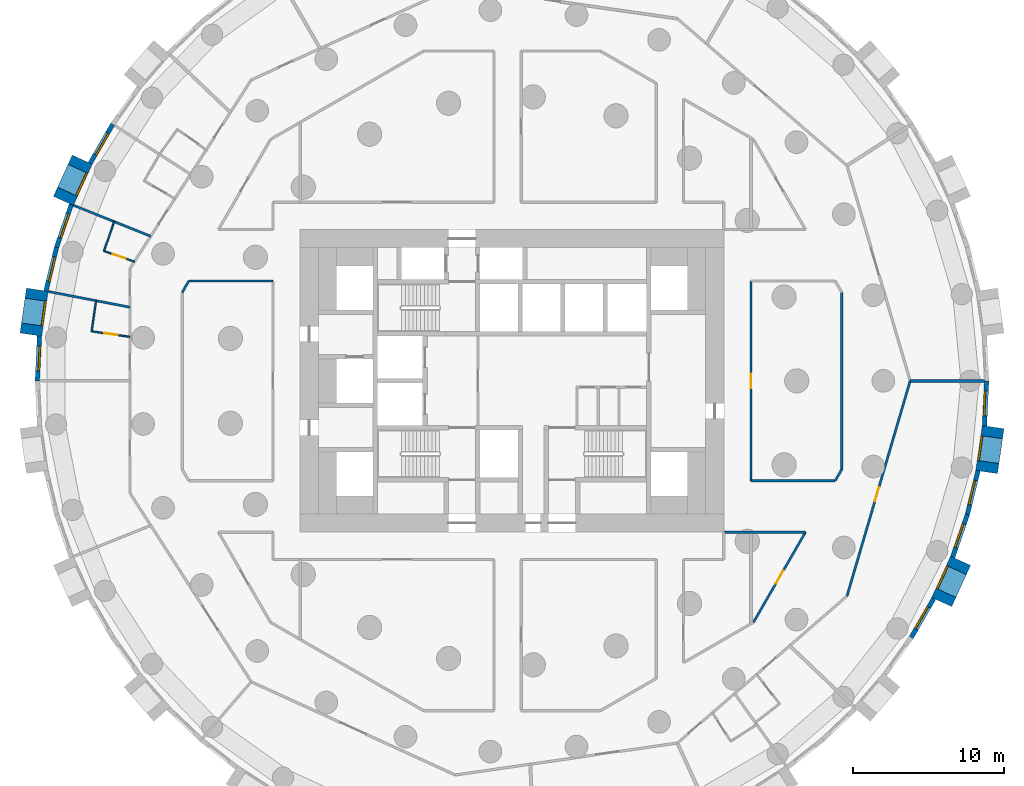
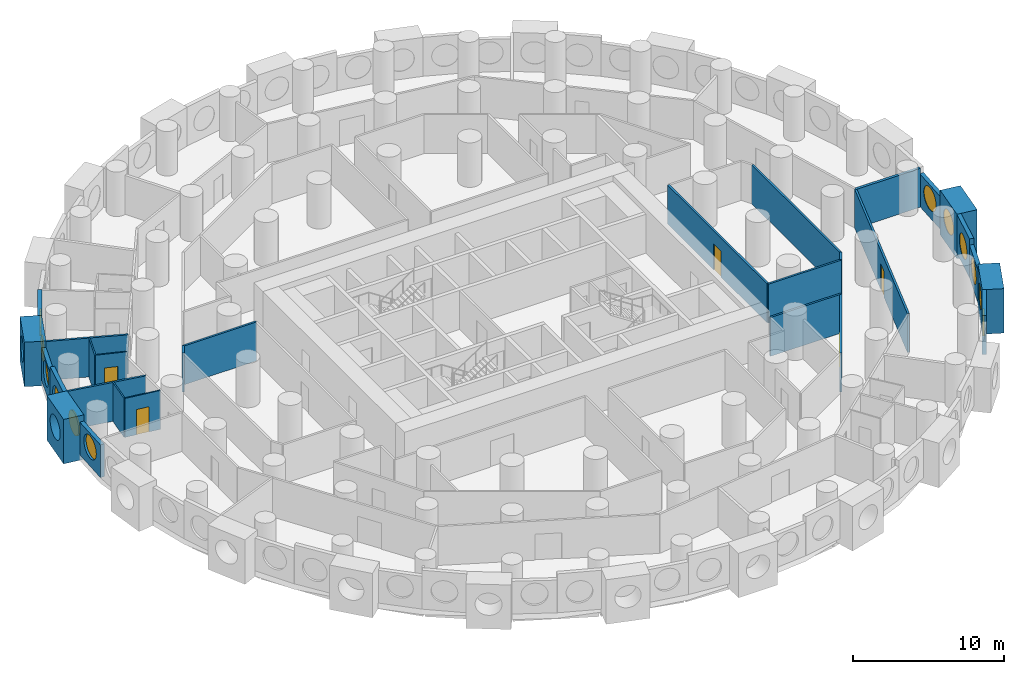
# One storey, part 6 of 11: 28 walls, 12 windows, 5 doors, 17 openings.
"""IFC4 building model written with IfcOpenShell, lengths in metres."""

from ifc_helpers import new_model, si_unit, direction, frame, frame_2d, origin, origin_2d, place, context, subcontext, project, spatial, rectangle, circle, extrude, material, layer, layer_set, type_object, element, fill, save


model = new_model("IFC4")

# Units and contexts
model_context = context("Model", 3, precision=1e-05, world=origin(), true_north=direction((0.0, 1.0)))
body_context = subcontext(model_context, "Body", "Model", "MODEL_VIEW")
ifc_project = project(units=[si_unit("LENGTHUNIT", "METRE"), si_unit("AREAUNIT", "SQUARE_METRE"), si_unit("VOLUMEUNIT", "CUBIC_METRE"), si_unit("PLANEANGLEUNIT", "RADIAN"), si_unit("MASSUNIT", "GRAM", prefix="KILO")], contexts=[model_context])

# Site, building, storey
site_placement = place(None, origin())
site = spatial("IfcSite", under=ifc_project, at=site_placement, CompositionType="ELEMENT")
building_placement = place(site_placement, origin())
building = spatial("IfcBuilding", under=site, at=building_placement, Name="Tracery Tower", CompositionType="ELEMENT")
storey_placement = place(building_placement, frame((0.0, 0.0, 60.60009765625)))
storey = spatial("IfcBuildingStorey", under=building, at=storey_placement, Name="L14", CompositionType="ELEMENT", Elevation=60.60009765625)

# Wall, opening, window
ifc_material_1 = material(Name="Precast concrete C50/60", Category="concrete")
ifc_layer_1 = layer(ifc_material_1, 1.449951171875)
ifc_layer_set_1 = layer_set([ifc_layer_1], Name="Deep-set bay unit 3000 x 3600, slab edge 450")
wall_type_1 = type_object("IfcWallType", Name="Deep-set bay unit 3000 x 3600, slab edge 450", PredefinedType="ELEMENTEDWALL", material=ifc_layer_set_1)
wall_1_placement = place(storey_placement, frame((-28.40673828125, 14.6220703125, -0.4501953125), z_axis=(0.0, 0.0, 1.0), x_axis=(-0.415427028395, -0.909626508012, 0.0)))
wall_1 = element("IfcWall", 1, at=wall_1_placement, inside=storey, type_object=wall_type_1, Name="Deep-set bay unit 29 at L14", PredefinedType="ELEMENTEDWALL", context=body_context, shape_type="SweptSolid", body=[
    extrude(rectangle(XDim=3.000244140625, YDim=1.449951171875, at=frame_2d((1.5, 0.0))), origin(), (0.0, 0.0, 1.0), 3.60009765625),
])
opening_1_placement = place(wall_1_placement, frame((1.5, 0.0, 2.0)))
opening_1 = element("IfcOpeningElement", 2, at=opening_1_placement, cuts=wall_1, Name="Opening WN1", PredefinedType="OPENING", context=body_context, shape_type="SweptSolid", body=[
    extrude(circle(Radius=0.9000244140625, at=origin_2d()), frame((0.0, 0.73486328125, 0.0), z_axis=(0.0, -1.0, 0.0), x_axis=(1.0, 0.0, 0.0)), (0.0, 0.0, 1.0), 1.469970703125),
])
ifc_material_2 = material(Name="Aluminium frame with tinted double glazing", Category="aluminium")
window_type = type_object("IfcWindowType", Name="Round window 1800", PartitioningType="SINGLE_PANEL", PredefinedType="WINDOW", material=ifc_material_2)
window_1_placement = place(opening_1_placement, origin())
window_1 = element("IfcWindow", 3, at=window_1_placement, inside=storey, type_object=window_type, Name="Round window 29 at L14", OverallHeight=1.800048828125, OverallWidth=1.800048828125, PartitioningType="SINGLE_PANEL", PredefinedType="WINDOW", context=body_context, shape_type="SweptSolid", body=[
    extrude(circle(Radius=0.9000244140625, at=origin_2d()), frame((0.0, 0.69482421875, 0.0), z_axis=(0.0, -1.0, 0.0), x_axis=(1.0, 0.0, 0.0)), (0.0, 0.0, 1.0), 0.10009765625),
])
fill(opening_1, window_1)

wall_2_placement = place(storey_placement, frame((-31.37548828125, 6.026611328125, -0.4501953125), z_axis=(0.0, 0.0, 1.0), x_axis=(-0.142332746704, -0.989818866872, 0.0)))
wall_2 = element("IfcWall", 4, at=wall_2_placement, inside=storey, type_object=wall_type_1, Name="Deep-set bay unit 32 at L14", PredefinedType="ELEMENTEDWALL", context=body_context, shape_type="SweptSolid", body=[
    extrude(rectangle(XDim=3.0, YDim=1.449951171875, at=frame_2d((1.5, 0.0))), origin(), (0.0, 0.0, 1.0), 3.60009765625),
])
opening_2_placement = place(wall_2_placement, frame((1.5, 0.0, 2.0)))
opening_2 = element("IfcOpeningElement", 5, at=opening_2_placement, cuts=wall_2, Name="Opening WN1", PredefinedType="OPENING", context=body_context, shape_type="SweptSolid", body=[
    extrude(circle(Radius=0.9000244140625, at=origin_2d()), frame((0.0, 0.73486328125, 0.0), z_axis=(0.0, -1.0, 0.0), x_axis=(1.0, 0.0, 0.0)), (0.0, 0.0, 1.0), 1.469970703125),
])
window_2_placement = place(opening_2_placement, origin())
window_2 = element("IfcWindow", 6, at=window_2_placement, inside=storey, type_object=window_type, Name="Round window 32 at L14", OverallHeight=1.800048828125, OverallWidth=1.800048828125, PartitioningType="SINGLE_PANEL", PredefinedType="WINDOW", context=body_context, shape_type="SweptSolid", body=[
    extrude(circle(Radius=0.9000244140625, at=origin_2d()), frame((0.0, 0.69482421875, 0.0), z_axis=(0.0, -1.0, 0.0), x_axis=(1.0, 0.0, 0.0)), (0.0, 0.0, 1.0), 0.10009765625),
])
fill(opening_2, window_2)

wall_3_placement = place(storey_placement, frame((28.40673828125, -14.6220703125, -0.4501953125), z_axis=(0.0, 0.0, 1.0), x_axis=(0.415427028395, 0.909626508012, 0.0)))
wall_3 = element("IfcWall", 7, at=wall_3_placement, inside=storey, type_object=wall_type_1, Name="Deep-set bay unit 62 at L14", PredefinedType="ELEMENTEDWALL", context=body_context, shape_type="SweptSolid", body=[
    extrude(rectangle(XDim=3.000244140625, YDim=1.449951171875, at=frame_2d((1.5, 0.0))), origin(), (0.0, 0.0, 1.0), 3.60009765625),
])
opening_3_placement = place(wall_3_placement, frame((1.5, 0.0, 2.0)))
opening_3 = element("IfcOpeningElement", 8, at=opening_3_placement, cuts=wall_3, Name="Opening WN1", PredefinedType="OPENING", context=body_context, shape_type="SweptSolid", body=[
    extrude(circle(Radius=0.9000244140625, at=origin_2d()), frame((0.0, 0.73486328125, 0.0), z_axis=(0.0, -1.0, 0.0), x_axis=(1.0, 0.0, 0.0)), (0.0, 0.0, 1.0), 1.469970703125),
])
window_3_placement = place(opening_3_placement, origin())
window_3 = element("IfcWindow", 9, at=window_3_placement, inside=storey, type_object=window_type, Name="Round window 62 at L14", OverallHeight=1.800048828125, OverallWidth=1.800048828125, PartitioningType="SINGLE_PANEL", PredefinedType="WINDOW", context=body_context, shape_type="SweptSolid", body=[
    extrude(circle(Radius=0.9000244140625, at=origin_2d()), frame((0.0, 0.69482421875, 0.0), z_axis=(0.0, -1.0, 0.0), x_axis=(1.0, 0.0, 0.0)), (0.0, 0.0, 1.0), 0.10009765625),
])
fill(opening_3, window_3)

wall_4_placement = place(storey_placement, frame((31.37548828125, -6.026611328125, -0.4501953125), z_axis=(0.0, 0.0, 1.0), x_axis=(0.142332746704, 0.989818866872, 0.0)))
wall_4 = element("IfcWall", 10, at=wall_4_placement, inside=storey, type_object=wall_type_1, Name="Deep-set bay unit 65 at L14", PredefinedType="ELEMENTEDWALL", context=body_context, shape_type="SweptSolid", body=[
    extrude(rectangle(XDim=3.0, YDim=1.449951171875, at=frame_2d((1.5, 0.0))), origin(), (0.0, 0.0, 1.0), 3.60009765625),
])
opening_4_placement = place(wall_4_placement, frame((1.5, 0.0, 2.0)))
opening_4 = element("IfcOpeningElement", 11, at=opening_4_placement, cuts=wall_4, Name="Opening WN1", PredefinedType="OPENING", context=body_context, shape_type="SweptSolid", body=[
    extrude(circle(Radius=0.9000244140625, at=origin_2d()), frame((0.0, 0.73486328125, 0.0), z_axis=(0.0, -1.0, 0.0), x_axis=(1.0, 0.0, 0.0)), (0.0, 0.0, 1.0), 1.469970703125),
])
window_4_placement = place(opening_4_placement, origin())
window_4 = element("IfcWindow", 12, at=window_4_placement, inside=storey, type_object=window_type, Name="Round window 65 at L14", OverallHeight=1.800048828125, OverallWidth=1.800048828125, PartitioningType="SINGLE_PANEL", PredefinedType="WINDOW", context=body_context, shape_type="SweptSolid", body=[
    extrude(circle(Radius=0.9000244140625, at=origin_2d()), frame((0.0, 0.69482421875, 0.0), z_axis=(0.0, -1.0, 0.0), x_axis=(1.0, 0.0, 0.0)), (0.0, 0.0, 1.0), 0.10009765625),
])
fill(opening_4, window_4)

ifc_material_3 = material(Name="Precast concrete C50/60", Category="concrete")
ifc_layer_2 = layer(ifc_material_3, 0.300048828125)
ifc_layer_set_2 = layer_set([ifc_layer_2], Name="Facade panel 3000 x 2650")
wall_type_2 = type_object("IfcWallType", Name="Facade panel 3000 x 2650", PredefinedType="SOLIDWALL", material=ifc_layer_set_2)
wall_5_placement = place(storey_placement, frame((-29.12890625, 11.655029296875, 0.0), z_axis=(0.0, 0.0, 1.0), x_axis=(-0.327071167136, -0.944999709856, 0.0)))
wall_5 = element("IfcWall", 13, at=wall_5_placement, inside=storey, type_object=wall_type_2, Name="Facade panel 30 at L14", PredefinedType="SOLIDWALL", context=body_context, shape_type="SweptSolid", body=[
    extrude(rectangle(XDim=2.979736328125, YDim=0.300048828125, at=frame_2d((1.48974609375, 0.0))), origin(), (0.0, 0.0, 1.0), 2.64990234375),
])
opening_5_placement = place(wall_5_placement, frame((1.48974609375, 0.0, 1.5498046875)))
opening_5 = element("IfcOpeningElement", 14, at=opening_5_placement, cuts=wall_5, Name="Opening WN1", PredefinedType="OPENING", context=body_context, shape_type="SweptSolid", body=[
    extrude(circle(Radius=0.9000244140625, at=origin_2d()), frame((0.0, 0.159912109375, 0.0), z_axis=(0.0, -1.0, 0.0), x_axis=(1.0, 0.0, 0.0)), (0.0, 0.0, 1.0), 0.320068359375),
])
window_5_placement = place(opening_5_placement, origin())
window_5 = element("IfcWindow", 15, at=window_5_placement, inside=storey, type_object=window_type, Name="Round window 30 at L14", OverallHeight=1.800048828125, OverallWidth=1.800048828125, PartitioningType="SINGLE_PANEL", PredefinedType="WINDOW", context=body_context, shape_type="SweptSolid", body=[
    extrude(circle(Radius=0.9000244140625, at=origin_2d()), frame((0.0, 0.1201171875, 0.0), z_axis=(0.0, -1.0, 0.0), x_axis=(1.0, 0.0, 0.0)), (0.0, 0.0, 1.0), 0.10009765625),
])
fill(opening_5, window_5)

wall_6_placement = place(storey_placement, frame((-31.232666015625, 2.976318359375, 0.0), z_axis=(0.0, 0.0, 1.0), x_axis=(-0.047604077644, -0.998866283239, 0.0)))
wall_6 = element("IfcWall", 16, at=wall_6_placement, inside=storey, type_object=wall_type_2, Name="Facade panel 33 at L14", PredefinedType="SOLIDWALL", context=body_context, shape_type="SweptSolid", body=[
    extrude(rectangle(XDim=2.979736328125, YDim=0.300048828125, at=frame_2d((1.48974609375, 0.0))), origin(), (0.0, 0.0, 1.0), 2.64990234375),
])
opening_6_placement = place(wall_6_placement, frame((1.48974609375, 0.0, 1.5498046875)))
opening_6 = element("IfcOpeningElement", 17, at=opening_6_placement, cuts=wall_6, Name="Opening WN1", PredefinedType="OPENING", context=body_context, shape_type="SweptSolid", body=[
    extrude(circle(Radius=0.9000244140625, at=origin_2d()), frame((0.0, 0.159912109375, 0.0), z_axis=(0.0, -1.0, 0.0), x_axis=(1.0, 0.0, 0.0)), (0.0, 0.0, 1.0), 0.320068359375),
])
window_6_placement = place(opening_6_placement, origin())
window_6 = element("IfcWindow", 18, at=window_6_placement, inside=storey, type_object=window_type, Name="Round window 33 at L14", OverallHeight=1.800048828125, OverallWidth=1.800048828125, PartitioningType="SINGLE_PANEL", PredefinedType="WINDOW", context=body_context, shape_type="SweptSolid", body=[
    extrude(circle(Radius=0.9000244140625, at=origin_2d()), frame((0.0, 0.1201171875, 0.0), z_axis=(0.0, -1.0, 0.0), x_axis=(1.0, 0.0, 0.0)), (0.0, 0.0, 1.0), 0.10009765625),
])
fill(opening_6, window_6)

wall_7_placement = place(storey_placement, frame((29.12890625, -11.655029296875, 0.0), z_axis=(0.0, 0.0, 1.0), x_axis=(0.327071167136, 0.944999709856, 0.0)))
wall_7 = element("IfcWall", 19, at=wall_7_placement, inside=storey, type_object=wall_type_2, Name="Facade panel 63 at L14", PredefinedType="SOLIDWALL", context=body_context, shape_type="SweptSolid", body=[
    extrude(rectangle(XDim=2.979736328125, YDim=0.300048828125, at=frame_2d((1.48974609375, 0.0))), origin(), (0.0, 0.0, 1.0), 2.64990234375),
])
opening_7_placement = place(wall_7_placement, frame((1.48974609375, 0.0, 1.5498046875)))
opening_7 = element("IfcOpeningElement", 20, at=opening_7_placement, cuts=wall_7, Name="Opening WN1", PredefinedType="OPENING", context=body_context, shape_type="SweptSolid", body=[
    extrude(circle(Radius=0.9000244140625, at=origin_2d()), frame((0.0, 0.159912109375, 0.0), z_axis=(0.0, -1.0, 0.0), x_axis=(1.0, 0.0, 0.0)), (0.0, 0.0, 1.0), 0.320068359375),
])
window_7_placement = place(opening_7_placement, origin())
window_7 = element("IfcWindow", 21, at=window_7_placement, inside=storey, type_object=window_type, Name="Round window 63 at L14", OverallHeight=1.800048828125, OverallWidth=1.800048828125, PartitioningType="SINGLE_PANEL", PredefinedType="WINDOW", context=body_context, shape_type="SweptSolid", body=[
    extrude(circle(Radius=0.9000244140625, at=origin_2d()), frame((0.0, 0.1201171875, 0.0), z_axis=(0.0, -1.0, 0.0), x_axis=(1.0, 0.0, 0.0)), (0.0, 0.0, 1.0), 0.10009765625),
])
fill(opening_7, window_7)

wall_8_placement = place(storey_placement, frame((31.232666015625, -2.976318359375, 0.0), z_axis=(0.0, 0.0, 1.0), x_axis=(0.047604077644, 0.998866283239, 0.0)))
wall_8 = element("IfcWall", 22, at=wall_8_placement, inside=storey, type_object=wall_type_2, Name="Facade panel 66 at L14", PredefinedType="SOLIDWALL", context=body_context, shape_type="SweptSolid", body=[
    extrude(rectangle(XDim=2.979736328125, YDim=0.300048828125, at=frame_2d((1.48974609375, 0.0))), origin(), (0.0, 0.0, 1.0), 2.64990234375),
])
opening_8_placement = place(wall_8_placement, frame((1.48974609375, 0.0, 1.5498046875)))
opening_8 = element("IfcOpeningElement", 23, at=opening_8_placement, cuts=wall_8, Name="Opening WN1", PredefinedType="OPENING", context=body_context, shape_type="SweptSolid", body=[
    extrude(circle(Radius=0.9000244140625, at=origin_2d()), frame((0.0, 0.159912109375, 0.0), z_axis=(0.0, -1.0, 0.0), x_axis=(1.0, 0.0, 0.0)), (0.0, 0.0, 1.0), 0.320068359375),
])
window_8_placement = place(opening_8_placement, origin())
window_8 = element("IfcWindow", 24, at=window_8_placement, inside=storey, type_object=window_type, Name="Round window 66 at L14", OverallHeight=1.800048828125, OverallWidth=1.800048828125, PartitioningType="SINGLE_PANEL", PredefinedType="WINDOW", context=body_context, shape_type="SweptSolid", body=[
    extrude(circle(Radius=0.9000244140625, at=origin_2d()), frame((0.0, 0.1201171875, 0.0), z_axis=(0.0, -1.0, 0.0), x_axis=(1.0, 0.0, 0.0)), (0.0, 0.0, 1.0), 0.10009765625),
])
fill(opening_8, window_8)

ifc_material_4 = material(Name="Precast concrete C50/60", Category="concrete")
ifc_layer_3 = layer(ifc_material_4, 0.300048828125)
ifc_layer_set_3 = layer_set([ifc_layer_3], Name="Facade panel 3000 x 3150")
wall_type_3 = type_object("IfcWallType", Name="Facade panel 3000 x 3150", PredefinedType="SOLIDWALL", material=ifc_layer_set_3)
wall_9_placement = place(storey_placement, frame((-26.393798828125, 16.96240234375, 0.0), z_axis=(0.0, 0.0, 1.0), x_axis=(-0.500025049464, -0.866010940986, 0.0)))
wall_9 = element("IfcWall", 25, at=wall_9_placement, inside=storey, type_object=wall_type_3, Name="Facade panel 28 at L14", PredefinedType="SOLIDWALL", context=body_context, shape_type="SweptSolid", body=[
    extrude(rectangle(XDim=2.979736328125, YDim=0.300048828125, at=frame_2d((1.48974609375, 0.0))), origin(), (0.0, 0.0, 1.0), 3.14990234375),
])
opening_9_placement = place(wall_9_placement, frame((1.48974609375, 0.0, 1.5498046875)))
opening_9 = element("IfcOpeningElement", 26, at=opening_9_placement, cuts=wall_9, Name="Opening WN1", PredefinedType="OPENING", context=body_context, shape_type="SweptSolid", body=[
    extrude(circle(Radius=0.9000244140625, at=origin_2d()), frame((0.0, 0.159912109375, 0.0), z_axis=(0.0, -1.0, 0.0), x_axis=(1.0, 0.0, 0.0)), (0.0, 0.0, 1.0), 0.320068359375),
])
window_9_placement = place(opening_9_placement, origin())
window_9 = element("IfcWindow", 27, at=window_9_placement, inside=storey, type_object=window_type, Name="Round window 28 at L14", OverallHeight=1.800048828125, OverallWidth=1.800048828125, PartitioningType="SINGLE_PANEL", PredefinedType="WINDOW", context=body_context, shape_type="SweptSolid", body=[
    extrude(circle(Radius=0.9000244140625, at=origin_2d()), frame((0.0, 0.1201171875, 0.0), z_axis=(0.0, -1.0, 0.0), x_axis=(1.0, 0.0, 0.0)), (0.0, 0.0, 1.0), 0.10009765625),
])
fill(opening_9, window_9)

wall_10_placement = place(storey_placement, frame((-30.103515625, 8.839111328125, 0.0), z_axis=(0.0, 0.0, 1.0), x_axis=(-0.235743081534, -0.971815414319, 0.0)))
wall_10 = element("IfcWall", 28, at=wall_10_placement, inside=storey, type_object=wall_type_3, Name="Facade panel 31 at L14", PredefinedType="SOLIDWALL", context=body_context, shape_type="SweptSolid", body=[
    extrude(rectangle(XDim=2.9794921875, YDim=0.300048828125, at=frame_2d((1.48974609375, 0.0))), origin(), (0.0, 0.0, 1.0), 3.14990234375),
])
opening_10_placement = place(wall_10_placement, frame((1.48974609375, 0.0, 1.5498046875)))
opening_10 = element("IfcOpeningElement", 29, at=opening_10_placement, cuts=wall_10, Name="Opening WN1", PredefinedType="OPENING", context=body_context, shape_type="SweptSolid", body=[
    extrude(circle(Radius=0.9000244140625, at=origin_2d()), frame((0.0, 0.159912109375, 0.0), z_axis=(0.0, -1.0, 0.0), x_axis=(1.0, 0.0, 0.0)), (0.0, 0.0, 1.0), 0.320068359375),
])
window_10_placement = place(opening_10_placement, origin())
window_10 = element("IfcWindow", 30, at=window_10_placement, inside=storey, type_object=window_type, Name="Round window 31 at L14", OverallHeight=1.800048828125, OverallWidth=1.800048828125, PartitioningType="SINGLE_PANEL", PredefinedType="WINDOW", context=body_context, shape_type="SweptSolid", body=[
    extrude(circle(Radius=0.9000244140625, at=origin_2d()), frame((0.0, 0.1201171875, 0.0), z_axis=(0.0, -1.0, 0.0), x_axis=(1.0, 0.0, 0.0)), (0.0, 0.0, 1.0), 0.10009765625),
])
fill(opening_10, window_10)

wall_11_placement = place(storey_placement, frame((26.393798828125, -16.96240234375, 0.0), z_axis=(0.0, 0.0, 1.0), x_axis=(0.500025049464, 0.866010940986, 0.0)))
wall_11 = element("IfcWall", 31, at=wall_11_placement, inside=storey, type_object=wall_type_3, Name="Facade panel 61 at L14", PredefinedType="SOLIDWALL", context=body_context, shape_type="SweptSolid", body=[
    extrude(rectangle(XDim=2.979736328125, YDim=0.300048828125, at=frame_2d((1.48974609375, 0.0))), origin(), (0.0, 0.0, 1.0), 3.14990234375),
])
opening_11_placement = place(wall_11_placement, frame((1.48974609375, 0.0, 1.5498046875)))
opening_11 = element("IfcOpeningElement", 32, at=opening_11_placement, cuts=wall_11, Name="Opening WN1", PredefinedType="OPENING", context=body_context, shape_type="SweptSolid", body=[
    extrude(circle(Radius=0.9000244140625, at=origin_2d()), frame((0.0, 0.159912109375, 0.0), z_axis=(0.0, -1.0, 0.0), x_axis=(1.0, 0.0, 0.0)), (0.0, 0.0, 1.0), 0.320068359375),
])
window_11_placement = place(opening_11_placement, origin())
window_11 = element("IfcWindow", 33, at=window_11_placement, inside=storey, type_object=window_type, Name="Round window 61 at L14", OverallHeight=1.800048828125, OverallWidth=1.800048828125, PartitioningType="SINGLE_PANEL", PredefinedType="WINDOW", context=body_context, shape_type="SweptSolid", body=[
    extrude(circle(Radius=0.9000244140625, at=origin_2d()), frame((0.0, 0.1201171875, 0.0), z_axis=(0.0, -1.0, 0.0), x_axis=(1.0, 0.0, 0.0)), (0.0, 0.0, 1.0), 0.10009765625),
])
fill(opening_11, window_11)

wall_12_placement = place(storey_placement, frame((30.103515625, -8.839111328125, 0.0), z_axis=(0.0, 0.0, 1.0), x_axis=(0.235743081534, 0.971815414319, 0.0)))
wall_12 = element("IfcWall", 34, at=wall_12_placement, inside=storey, type_object=wall_type_3, Name="Facade panel 64 at L14", PredefinedType="SOLIDWALL", context=body_context, shape_type="SweptSolid", body=[
    extrude(rectangle(XDim=2.9794921875, YDim=0.300048828125, at=frame_2d((1.48974609375, 0.0))), origin(), (0.0, 0.0, 1.0), 3.14990234375),
])
opening_12_placement = place(wall_12_placement, frame((1.48974609375, 0.0, 1.5498046875)))
opening_12 = element("IfcOpeningElement", 35, at=opening_12_placement, cuts=wall_12, Name="Opening WN1", PredefinedType="OPENING", context=body_context, shape_type="SweptSolid", body=[
    extrude(circle(Radius=0.9000244140625, at=origin_2d()), frame((0.0, 0.159912109375, 0.0), z_axis=(0.0, -1.0, 0.0), x_axis=(1.0, 0.0, 0.0)), (0.0, 0.0, 1.0), 0.320068359375),
])
window_12_placement = place(opening_12_placement, origin())
window_12 = element("IfcWindow", 36, at=window_12_placement, inside=storey, type_object=window_type, Name="Round window 64 at L14", OverallHeight=1.800048828125, OverallWidth=1.800048828125, PartitioningType="SINGLE_PANEL", PredefinedType="WINDOW", context=body_context, shape_type="SweptSolid", body=[
    extrude(circle(Radius=0.9000244140625, at=origin_2d()), frame((0.0, 0.1201171875, 0.0), z_axis=(0.0, -1.0, 0.0), x_axis=(1.0, 0.0, 0.0)), (0.0, 0.0, 1.0), 0.10009765625),
])
fill(opening_12, window_12)

# Wall
ifc_material_5 = material(Name="Plasterboard on steel studs", Category="steel")
ifc_layer_4 = layer(ifc_material_5, 0.10009765625)
ifc_layer_set_4 = layer_set([ifc_layer_4], Name="Partition 100 wet wall")
wall_type_4 = type_object("IfcWallType", Name="Partition 100 wet wall", PredefinedType="PARTITIONING", material=ifc_layer_set_4)
wall_13_placement = place(storey_placement, frame((-26.968994140625, 8.577880859375, 0.0), z_axis=(0.0, 0.0, 1.0), x_axis=(0.326825955114, 0.945084543871, 0.0)))
element("IfcWall", 37, at=wall_13_placement, inside=storey, type_object=wall_type_4, Name="Wet wall RA4-077", PredefinedType="PARTITIONING", context=body_context, shape_type="SweptSolid", body=[
    extrude(rectangle(XDim=2.0625, YDim=0.10009765625, at=frame_2d((1.03125, 0.0))), origin(), (0.0, 0.0, 1.0), 3.14990234375),
])

# Wall, opening, door
wall_14_placement = place(storey_placement, frame((-26.968994140625, 8.577880859375, 0.0), z_axis=(0.0, 0.0, 1.0), x_axis=(0.945146525342, -0.326646667877, 0.0)))
wall_14 = element("IfcWall", 38, at=wall_14_placement, inside=storey, type_object=wall_type_4, Name="Wet wall RA4-078", PredefinedType="PARTITIONING", context=body_context, shape_type="SweptSolid", body=[
    extrude(rectangle(XDim=2.133056640625, YDim=0.10009765625, at=frame_2d((1.06640625, 0.0))), origin(), (0.0, 0.0, 1.0), 3.14990234375),
])
opening_13_placement = place(wall_14_placement, frame((0.616943359375, 0.0, 0.0)))
opening_13 = element("IfcOpeningElement", 39, at=opening_13_placement, cuts=wall_14, Name="Opening RA4-22", PredefinedType="OPENING", context=body_context, shape_type="SweptSolid", body=[
    extrude(rectangle(XDim=0.89990234375, YDim=2.0400390625, at=frame_2d((0.449951171875, 1.02001953125))), frame((0.0, 0.050048828125, 0.0), z_axis=(0.0, -1.0, 0.0), x_axis=(1.0, 0.0, 0.0)), (0.0, 0.0, 1.0), 0.10009765625),
])
ifc_material_6 = material(Name="Timber door leaf", Category="wood")
door_type_1 = type_object("IfcDoorType", Name="Door en-suite 900", OperationType="NOTDEFINED", PredefinedType="DOOR", material=ifc_material_6)
door_1_placement = place(opening_13_placement, origin())
door_1 = element("IfcDoor", 40, at=door_1_placement, inside=storey, type_object=door_type_1, Name="En-suite door RA4-22", OperationType="SINGLE_SWING_RIGHT", OverallHeight=2.0400390625, OverallWidth=0.89990234375, PredefinedType="DOOR", context=body_context, shape_type="SweptSolid", body=[
    extrude(rectangle(XDim=0.89990234375, YDim=2.0400390625, at=frame_2d((0.449951171875, 1.02001953125))), frame((0.0, 0.02490234375, 0.0), z_axis=(0.0, -1.0, 0.0), x_axis=(1.0, 0.0, 0.0)), (0.0, 0.0, 1.0), 0.050048828125),
])
fill(opening_13, door_1)

# Wall
wall_15_placement = place(storey_placement, frame((-27.784912109375, 3.27294921875, 0.0), z_axis=(0.0, 0.0, 1.0), x_axis=(0.142640130423, 0.989774617372, 0.0)))
element("IfcWall", 41, at=wall_15_placement, inside=storey, type_object=wall_type_4, Name="Wet wall RA4-080", PredefinedType="PARTITIONING", context=body_context, shape_type="SweptSolid", body=[
    extrude(rectangle(XDim=2.047119140625, YDim=0.10009765625, at=frame_2d((1.0234375, 0.0))), origin(), (0.0, 0.0, 1.0), 3.14990234375),
])

# Wall, opening, door
wall_16_placement = place(storey_placement, frame((-27.784912109375, 3.27294921875, 0.0), z_axis=(0.0, 0.0, 1.0), x_axis=(0.989823118164, -0.142303178978, 0.0)))
wall_16 = element("IfcWall", 42, at=wall_16_placement, inside=storey, type_object=wall_type_4, Name="Wet wall RA4-081", PredefinedType="PARTITIONING", context=body_context, shape_type="SweptSolid", body=[
    extrude(rectangle(XDim=2.55810546875, YDim=0.10009765625, at=frame_2d((1.279052734375, 0.0))), origin(), (0.0, 0.0, 1.0), 3.14990234375),
])
opening_14_placement = place(wall_16_placement, frame((0.8291015625, 0.0, 0.0)))
opening_14 = element("IfcOpeningElement", 43, at=opening_14_placement, cuts=wall_16, Name="Opening RA4-24", PredefinedType="OPENING", context=body_context, shape_type="SweptSolid", body=[
    extrude(rectangle(XDim=0.89990234375, YDim=2.0400390625, at=frame_2d((0.449951171875, 1.02001953125))), frame((0.0, 0.050048828125, 0.0), z_axis=(0.0, -1.0, 0.0), x_axis=(1.0, 0.0, 0.0)), (0.0, 0.0, 1.0), 0.10009765625),
])
door_2_placement = place(opening_14_placement, origin())
door_2 = element("IfcDoor", 44, at=door_2_placement, inside=storey, type_object=door_type_1, Name="En-suite door RA4-24", OperationType="SINGLE_SWING_LEFT", OverallHeight=2.0400390625, OverallWidth=0.89990234375, PredefinedType="DOOR", context=body_context, shape_type="SweptSolid", body=[
    extrude(rectangle(XDim=0.89990234375, YDim=2.0400390625, at=frame_2d((0.449951171875, 1.02001953125))), frame((0.0, 0.02490234375, 0.0), z_axis=(0.0, -1.0, 0.0), x_axis=(1.0, 0.0, 0.0)), (0.0, 0.0, 1.0), 0.050048828125),
])
fill(opening_14, door_2)

# Walls
ifc_material_7 = material(Name="Plasterboard on steel studs", Category="steel")
ifc_layer_5 = layer(ifc_material_7, 0.14990234375)
ifc_layer_set_5 = layer_set([ifc_layer_5], Name="Partition 150 acoustic unit wall")
wall_type_5 = type_object("IfcWallType", Name="Partition 150 acoustic unit wall", PredefinedType="PARTITIONING", material=ifc_layer_set_5)
wall_17_placement = place(storey_placement, frame((-28.988037109375, 11.60498046875, 0.0), z_axis=(0.0, 0.0, 1.0), x_axis=(0.928335994683, -0.371742223828, 0.0)))
element("IfcWall", 45, at=wall_17_placement, inside=storey, type_object=wall_type_5, Name="Unit wall RA4-076", PredefinedType="PARTITIONING", context=body_context, shape_type="SweptSolid", body=[
    extrude(rectangle(XDim=5.507568359375, YDim=0.14990234375, at=frame_2d((2.75390625, 0.0))), origin(), (0.0, 0.0, 1.0), 3.14990234375),
])
wall_18_placement = place(storey_placement, frame((-30.659912109375, 5.908935546875, 0.0), z_axis=(0.0, 0.0, 1.0), x_axis=(0.981940925451, -0.189187787461, 0.0)))
element("IfcWall", 46, at=wall_18_placement, inside=storey, type_object=wall_type_5, Name="Unit wall RA4-079", PredefinedType="PARTITIONING", context=body_context, shape_type="SweptSolid", body=[
    extrude(rectangle(XDim=5.50634765625, YDim=0.14990234375, at=frame_2d((2.753173828125, 0.0))), origin(), (0.0, 0.0, 1.0), 3.14990234375),
])
ifc_material_8 = material(Name="Plasterboard on steel studs", Category="steel")
ifc_layer_6 = layer(ifc_material_8, 0.14990234375)
ifc_layer_set_6 = layer_set([ifc_layer_6], Name="Partition 150 corridor wall")
wall_type_6 = type_object("IfcWallType", Name="Partition 150 corridor wall", PredefinedType="PARTITIONING", material=ifc_layer_set_6)
wall_19_placement = place(storey_placement, frame((14.0, -10.0, 0.0), z_axis=(0.0, 0.0, 1.0), x_axis=(1.0, 0.0, 0.0)))
element("IfcWall", 47, at=wall_19_placement, inside=storey, type_object=wall_type_6, Name="Corridor wall RA4-012", PredefinedType="PARTITIONING", context=body_context, shape_type="SweptSolid", body=[
    extrude(rectangle(XDim=5.40087890625, YDim=0.14990234375, at=frame_2d((2.700439453125, 0.0))), origin(), (0.0, 0.0, 1.0), 3.14990234375),
])

# Wall, opening, door
wall_20_placement = place(storey_placement, frame((15.800048828125, -6.60400390625, 0.0), z_axis=(0.0, 0.0, 1.0), x_axis=(0.0, 1.0, 0.0)))
wall_20 = element("IfcWall", 48, at=wall_20_placement, inside=storey, type_object=wall_type_6, Name="Corridor wall RA4-013", PredefinedType="PARTITIONING", context=body_context, shape_type="SweptSolid", body=[
    extrude(rectangle(XDim=13.2080078125, YDim=0.14990234375, at=frame_2d((6.60400390625, 0.0))), origin(), (0.0, 0.0, 1.0), 3.14990234375),
])
opening_15_placement = place(wall_20_placement, frame((6.12890625, 0.0, 0.0)))
opening_15 = element("IfcOpeningElement", 49, at=opening_15_placement, cuts=wall_20, Name="Opening RA4-07", PredefinedType="OPENING", context=body_context, shape_type="SweptSolid", body=[
    extrude(rectangle(XDim=0.949951171875, YDim=2.10009765625, at=frame_2d((0.47509765625, 1.050048828125))), frame((0.0, 0.074951171875, 0.0), z_axis=(0.0, -1.0, 0.0), x_axis=(1.0, 0.0, 0.0)), (0.0, 0.0, 1.0), 0.14990234375),
])
ifc_material_9 = material(Name="Timber door leaf", Category="wood")
door_type_2 = type_object("IfcDoorType", Name="Door store 950", OperationType="NOTDEFINED", PredefinedType="DOOR", material=ifc_material_9)
door_3_placement = place(opening_15_placement, origin())
door_3 = element("IfcDoor", 50, at=door_3_placement, inside=storey, type_object=door_type_2, Name="Store door RA4-07", OperationType="SINGLE_SWING_LEFT", OverallHeight=2.10009765625, OverallWidth=0.949951171875, PredefinedType="DOOR", context=body_context, shape_type="SweptSolid", body=[
    extrude(rectangle(XDim=0.949951171875, YDim=2.10009765625, at=frame_2d((0.47509765625, 1.050048828125))), frame((0.0, 0.02490234375, 0.0), z_axis=(0.0, -1.0, 0.0), x_axis=(1.0, 0.0, 0.0)), (0.0, 0.0, 1.0), 0.050048828125),
])
fill(opening_15, door_3)

# Walls
wall_21_placement = place(storey_placement, frame((15.800048828125, -6.60009765625, 0.0), z_axis=(0.0, 0.0, 1.0), x_axis=(1.0, 0.0, 0.0)))
element("IfcWall", 51, at=wall_21_placement, inside=storey, type_object=wall_type_6, Name="Corridor wall RA4-015", PredefinedType="PARTITIONING", context=body_context, shape_type="SweptSolid", body=[
    extrude(rectangle(XDim=5.56396484375, YDim=0.14990234375, at=frame_2d((2.781982421875, 0.0))), origin(), (0.0, 0.0, 1.0), 3.14990234375),
])
wall_22_placement = place(storey_placement, frame((21.364013671875, -6.60009765625, 0.0), z_axis=(0.0, 0.0, 1.0), x_axis=(0.500277597875, 0.865865073245, 0.0)))
element("IfcWall", 52, at=wall_22_placement, inside=storey, type_object=wall_type_6, Name="Corridor wall RA4-016", PredefinedType="PARTITIONING", context=body_context, shape_type="SweptSolid", body=[
    extrude(rectangle(XDim=0.87548828125, YDim=0.14990234375, at=frame_2d((0.437744140625, 0.0))), origin(), (0.0, 0.0, 1.0), 3.14990234375),
])
wall_23_placement = place(storey_placement, frame((21.802001953125, -5.842041015625, 0.0), z_axis=(0.0, 0.0, 1.0), x_axis=(0.0, 1.0, 0.0)))
element("IfcWall", 53, at=wall_23_placement, inside=storey, type_object=wall_type_6, Name="Corridor wall RA4-017", PredefinedType="PARTITIONING", context=body_context, shape_type="SweptSolid", body=[
    extrude(rectangle(XDim=11.68408203125, YDim=0.14990234375, at=frame_2d((5.842041015625, 0.0))), origin(), (0.0, 0.0, 1.0), 3.14990234375),
])

# Wall, opening, door
wall_24_placement = place(storey_placement, frame((15.9599609375, -15.9599609375, 0.0), z_axis=(0.0, 0.0, 1.0), x_axis=(0.499992689227, 0.86602962462, 0.0)))
wall_24 = element("IfcWall", 54, at=wall_24_placement, inside=storey, type_object=wall_type_6, Name="Corridor wall RA4-021", PredefinedType="PARTITIONING", context=body_context, shape_type="SweptSolid", body=[
    extrude(rectangle(XDim=6.8818359375, YDim=0.14990234375, at=frame_2d((3.44091796875, 0.0))), origin(), (0.0, 0.0, 1.0), 3.14990234375),
])
opening_16_placement = place(wall_24_placement, frame((2.94091796875, 0.0, 0.0)))
opening_16 = element("IfcOpeningElement", 55, at=opening_16_placement, cuts=wall_24, Name="Opening RA4-10", PredefinedType="OPENING", context=body_context, shape_type="SweptSolid", body=[
    extrude(rectangle(XDim=1.0, YDim=2.0400390625, at=frame_2d((0.5, 1.02001953125))), frame((0.0, 0.074951171875, 0.0), z_axis=(0.0, -1.0, 0.0), x_axis=(1.0, 0.0, 0.0)), (0.0, 0.0, 1.0), 0.14990234375),
])
ifc_material_10 = material(Name="Timber door leaf", Category="wood")
door_type_3 = type_object("IfcDoorType", Name="Door communal room 1000", OperationType="NOTDEFINED", PredefinedType="DOOR", material=ifc_material_10)
door_4_placement = place(opening_16_placement, origin())
door_4 = element("IfcDoor", 56, at=door_4_placement, inside=storey, type_object=door_type_3, Name="Communal room door RA4-10", OperationType="SINGLE_SWING_LEFT", OverallHeight=2.0400390625, OverallWidth=1.0, PredefinedType="DOOR", context=body_context, shape_type="SweptSolid", body=[
    extrude(rectangle(XDim=1.0, YDim=2.0400390625, at=frame_2d((0.5, 1.02001953125))), frame((0.0, 0.02490234375, 0.0), z_axis=(0.0, -1.0, 0.0), x_axis=(1.0, 0.0, 0.0)), (0.0, 0.0, 1.0), 0.050048828125),
])
fill(opening_16, door_4)

wall_25_placement = place(storey_placement, frame((22.14111328125, -14.22900390625, 0.0), z_axis=(0.0, 0.0, 1.0), x_axis=(0.281730446162, 0.959493593363, 0.0)))
wall_25 = element("IfcWall", 57, at=wall_25_placement, inside=storey, type_object=wall_type_6, Name="Corridor wall RA4-025", PredefinedType="PARTITIONING", context=body_context, shape_type="SweptSolid", body=[
    extrude(rectangle(XDim=14.82958984375, YDim=0.14990234375, at=frame_2d((7.414794921875, 0.0))), origin(), (0.0, 0.0, 1.0), 3.14990234375),
])
opening_17_placement = place(wall_25_placement, frame((6.539794921875, 0.0, 0.0)))
opening_17 = element("IfcOpeningElement", 58, at=opening_17_placement, cuts=wall_25, Name="Opening RA4-34", PredefinedType="OPENING", context=body_context, shape_type="SweptSolid", body=[
    extrude(rectangle(XDim=0.949951171875, YDim=2.10009765625, at=frame_2d((0.47509765625, 1.050048828125))), frame((0.0, 0.074951171875, 0.0), z_axis=(0.0, -1.0, 0.0), x_axis=(1.0, 0.0, 0.0)), (0.0, 0.0, 1.0), 0.14990234375),
])
door_5_placement = place(opening_17_placement, origin())
door_5 = element("IfcDoor", 59, at=door_5_placement, inside=storey, type_object=door_type_2, Name="Store door RA4-34", OperationType="SINGLE_SWING_RIGHT", OverallHeight=2.10009765625, OverallWidth=0.949951171875, PredefinedType="DOOR", context=body_context, shape_type="SweptSolid", body=[
    extrude(rectangle(XDim=0.949951171875, YDim=2.10009765625, at=frame_2d((0.47509765625, 1.050048828125))), frame((0.0, 0.02490234375, 0.0), z_axis=(0.0, -1.0, 0.0), x_axis=(1.0, 0.0, 0.0)), (0.0, 0.0, 1.0), 0.050048828125),
])
fill(opening_17, door_5)

# Walls
wall_26_placement = place(storey_placement, frame((-21.364013671875, 6.60009765625, 0.0), z_axis=(0.0, 0.0, 1.0), x_axis=(1.0, 0.0, 0.0)))
element("IfcWall", 60, at=wall_26_placement, inside=storey, type_object=wall_type_6, Name="Corridor wall RA4-038", PredefinedType="PARTITIONING", context=body_context, shape_type="SweptSolid", body=[
    extrude(rectangle(XDim=5.56396484375, YDim=0.14990234375, at=frame_2d((2.781982421875, 0.0))), origin(), (0.0, 0.0, 1.0), 3.14990234375),
])
wall_27_placement = place(storey_placement, frame((-21.802001953125, 5.842041015625, 0.0), z_axis=(0.0, 0.0, 1.0), x_axis=(0.500277597875, 0.865865073245, 0.0)))
element("IfcWall", 61, at=wall_27_placement, inside=storey, type_object=wall_type_6, Name="Corridor wall RA4-039", PredefinedType="PARTITIONING", context=body_context, shape_type="SweptSolid", body=[
    extrude(rectangle(XDim=0.87548828125, YDim=0.14990234375, at=frame_2d((0.437744140625, 0.0))), origin(), (0.0, 0.0, 1.0), 3.14990234375),
])
ifc_material_11 = material(Name="Plasterboard on steel studs", Category="steel")
ifc_layer_7 = layer(ifc_material_11, 0.199951171875)
ifc_layer_set_7 = layer_set([ifc_layer_7], Name="Partition 200 compartment wall")
wall_type_7 = type_object("IfcWallType", Name="Partition 200 compartment wall", PredefinedType="PARTITIONING", material=ifc_layer_set_7)
wall_28_placement = place(storey_placement, frame((26.319091796875, 0.0, 0.0), z_axis=(0.0, 0.0, 1.0), x_axis=(1.0, 0.0, 0.0)))
element("IfcWall", 62, at=wall_28_placement, inside=storey, type_object=wall_type_7, Name="Compartment wall RA4-066", PredefinedType="PARTITIONING", context=body_context, shape_type="SweptSolid", body=[
    extrude(rectangle(XDim=4.905029296875, YDim=0.199951171875, at=frame_2d((2.45263671875, 0.0))), origin(), (0.0, 0.0, 1.0), 3.14990234375),
])

save(model, "model.ifc")
